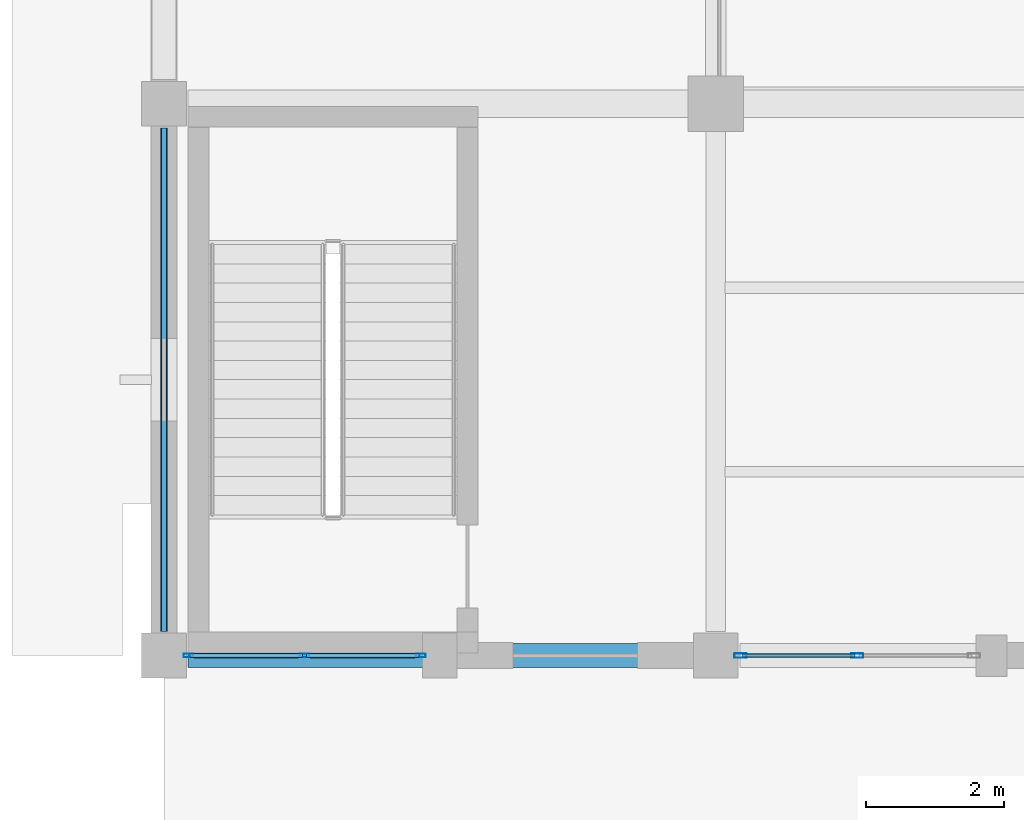
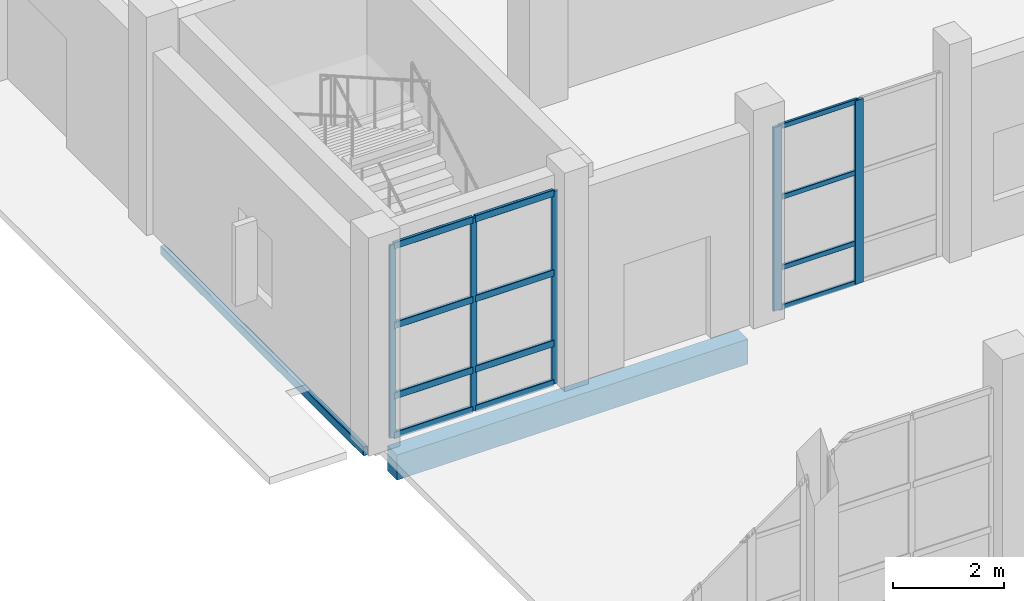
# One storey, part 27 of 156: 17 members, 2 beams, 2 elements without a shape of their own.
"""IFC4 building model written with IfcOpenShell, lengths in metres."""

from ifc_helpers import new_model, si_unit, direction, frame, origin, origin_2d, place, context, subcontext, project, spatial, rectangle, hollow_rectangle, extrude, material, material_profile, profile_set, type_object, element, aggregate, save


model = new_model("IFC4")

# Units and contexts
model_context = context("Model", 3, precision=1e-05, world=origin(), true_north=direction((0.0, 1.0)))
body_context = subcontext(model_context, "Body", "Model", "MODEL_VIEW")
ifc_project = project(units=[si_unit("LENGTHUNIT", "METRE"), si_unit("AREAUNIT", "SQUARE_METRE"), si_unit("VOLUMEUNIT", "CUBIC_METRE"), si_unit("PLANEANGLEUNIT", "RADIAN"), si_unit("MASSUNIT", "GRAM", prefix="KILO")], contexts=[model_context])

# Site, building, storey
site_placement = place(None, origin())
site = spatial("IfcSite", under=ifc_project, at=site_placement, CompositionType="ELEMENT")
building_placement = place(site_placement, origin())
building = spatial("IfcBuilding", under=site, at=building_placement, Name="Luwemba Playhouse", CompositionType="ELEMENT")
storey_placement = place(building_placement, origin())
storey = spatial("IfcBuildingStorey", under=building, at=storey_placement, Name="L00", CompositionType="ELEMENT", Elevation=0.0)

# Beams
ifc_material_1 = material(Name="Concrete C40/50", Category="concrete")
ifc_material_profile_1 = material_profile(ifc_material_1, rectangle(XDim=0.35009765625, YDim=0.550048828125, at=origin_2d()))
ifc_profile_set_1 = profile_set([ifc_material_profile_1], Name="Concrete C40/50")
beam_type_1 = type_object("IfcBeamType", Name="BM-SP2", PredefinedType="SPANDREL", material=ifc_profile_set_1)
beam_1_placement = place(storey_placement, frame((4.35009765625, 36.0, -0.574951171875), z_axis=(1.0, 0.0, 0.0), x_axis=(0.0, 1.0, 0.0)))
element("IfcBeam", 1, at=beam_1_placement, inside=storey, type_object=beam_type_1, Name="L00 grid girder 0001", PredefinedType="SPANDREL", context=body_context, shape_type="SweptSolid", body=[
    extrude(rectangle(XDim=0.35009765625, YDim=0.550048828125, at=origin_2d()), origin(), (0.0, 0.0, 1.0), 7.2998046875),
])
ifc_material_2 = material(Name="Steel S355", Category="steel")
ifc_material_profile_2 = material_profile(ifc_material_2, hollow_rectangle(XDim=0.10009765625, YDim=0.199951171875, WallThickness=0.008056640625, InnerFilletRadius=0.011962890625, OuterFilletRadius=0.02001953125, at=origin_2d()))
ifc_profile_set_2 = profile_set([ifc_material_profile_2], Name="Steel S355")
beam_type_2 = type_object("IfcBeamType", Name="BM-SSP2", PredefinedType="SPANDREL", material=ifc_profile_set_2)
beam_2_placement = place(storey_placement, frame((4.0, 36.35009765625, -0.39990234375), z_axis=(0.0, 1.0, 0.0), x_axis=(-1.0, 0.0, 0.0)))
element("IfcBeam", 2, at=beam_2_placement, inside=storey, type_object=beam_type_2, Name="L00 transverse girder 0019", PredefinedType="SPANDREL", context=body_context, shape_type="SweptSolid", body=[
    extrude(hollow_rectangle(XDim=0.10009765625, YDim=0.199951171875, WallThickness=0.008056640625, InnerFilletRadius=0.011962890625, OuterFilletRadius=0.02001953125, at=origin_2d()), origin(), (0.0, 0.0, 1.0), 7.2998046875),
])

# Curtain wall, members
ifc_material_3 = material(Name="Solar-control double glazing", Category="glass")
curtain_wall_type_1 = type_object("IfcCurtainWallType", Name="CW-CW12", PredefinedType="USERDEFINED", material=ifc_material_3)
curtain_wall_1_placement = place(storey_placement, origin())
curtain_wall_1 = element("IfcCurtainWall", 3, at=curtain_wall_1_placement, inside=storey, type_object=curtain_wall_type_1, Name="L00 V1 unitised curtain wall 012", ObjectType="UNITISED GLAZING", PredefinedType="USERDEFINED")
ifc_material_4 = material(Name="Aluminium 6063-T6", Category="aluminium")
ifc_material_profile_3 = material_profile(ifc_material_4, hollow_rectangle(XDim=0.06494140625, YDim=0.179931640625, WallThickness=0.00439453125, InnerFilletRadius=0.0068359375, OuterFilletRadius=0.01123046875, at=origin_2d()))
ifc_profile_set_3 = profile_set([ifc_material_profile_3], Name="Aluminium 6063-T6")
member_type_1 = type_object("IfcMemberType", Name="CWM-M2", PredefinedType="MULLION", material=ifc_profile_set_3)
member_1_placement = place(storey_placement, frame((14.050048828125, 36.0, 0.0), z_axis=(0.0, 0.0, 1.0), x_axis=(0.0, -1.0, 0.0)))
member_1 = element("IfcMember", 4, at=member_1_placement, type_object=member_type_1, Name="CW12 mullion 2", PredefinedType="MULLION", context=body_context, shape_type="SweptSolid", body=[
    extrude(hollow_rectangle(XDim=0.06494140625, YDim=0.179931640625, WallThickness=0.00439453125, InnerFilletRadius=0.0068359375, OuterFilletRadius=0.01123046875, at=origin_2d()), origin(), (0.0, 0.0, 1.0), 4.034912109375),
])
member_2_placement = place(storey_placement, frame((12.357421875, 36.0, 0.0), z_axis=(0.0, 0.0, 1.0), x_axis=(0.0, -1.0, 0.0)))
member_2 = element("IfcMember", 5, at=member_2_placement, type_object=member_type_1, Name="CW12 mullion 3", PredefinedType="MULLION", context=body_context, shape_type="SweptSolid", body=[
    extrude(hollow_rectangle(XDim=0.06494140625, YDim=0.179931640625, WallThickness=0.00439453125, InnerFilletRadius=0.0068359375, OuterFilletRadius=0.01123046875, at=origin_2d()), origin(), (0.0, 0.0, 1.0), 4.034912109375),
])

curtain_wall_type_2 = type_object("IfcCurtainWallType", Name="CW-CW13", PredefinedType="USERDEFINED", material=ifc_material_3)
curtain_wall_2_placement = place(storey_placement, origin())
curtain_wall_2 = element("IfcCurtainWall", 6, at=curtain_wall_2_placement, inside=storey, type_object=curtain_wall_type_2, Name="L00 V1 unitised curtain wall 013", ObjectType="UNITISED GLAZING", PredefinedType="USERDEFINED")
ifc_material_profile_4 = material_profile(ifc_material_4, hollow_rectangle(XDim=0.054931640625, YDim=0.139892578125, WallThickness=0.00390625, InnerFilletRadius=0.006103515625, OuterFilletRadius=0.010009765625, at=origin_2d()))
ifc_profile_set_4 = profile_set([ifc_material_profile_4], Name="Aluminium 6063-T6")
member_type_2 = type_object("IfcMemberType", Name="CWM-M3", PredefinedType="MULLION", material=ifc_profile_set_4)
member_3_placement = place(storey_placement, frame((7.722412109375, 36.0, 0.0), z_axis=(0.0, 0.0, 1.0), x_axis=(0.0, -1.0, 0.0)))
member_3 = element("IfcMember", 7, at=member_3_placement, type_object=member_type_2, Name="CW13 mullion 1", PredefinedType="MULLION", context=body_context, shape_type="SweptSolid", body=[
    extrude(hollow_rectangle(XDim=0.054931640625, YDim=0.139892578125, WallThickness=0.00390625, InnerFilletRadius=0.006103515625, OuterFilletRadius=0.010009765625, at=origin_2d()), origin(), (0.0, 0.0, 1.0), 4.235107421875),
])
member_4_placement = place(storey_placement, frame((6.03759765625, 36.0, 0.0), z_axis=(0.0, 0.0, 1.0), x_axis=(0.0, -1.0, 0.0)))
member_4 = element("IfcMember", 8, at=member_4_placement, type_object=member_type_2, Name="CW13 mullion 2", PredefinedType="MULLION", context=body_context, shape_type="SweptSolid", body=[
    extrude(hollow_rectangle(XDim=0.054931640625, YDim=0.139892578125, WallThickness=0.00390625, InnerFilletRadius=0.006103515625, OuterFilletRadius=0.010009765625, at=origin_2d()), origin(), (0.0, 0.0, 1.0), 4.235107421875),
])
member_5_placement = place(storey_placement, frame((4.3525390625, 36.0, 0.0), z_axis=(0.0, 0.0, 1.0), x_axis=(0.0, -1.0, 0.0)))
member_5 = element("IfcMember", 9, at=member_5_placement, type_object=member_type_2, Name="CW13 mullion 3", PredefinedType="MULLION", context=body_context, shape_type="SweptSolid", body=[
    extrude(hollow_rectangle(XDim=0.054931640625, YDim=0.139892578125, WallThickness=0.00390625, InnerFilletRadius=0.006103515625, OuterFilletRadius=0.010009765625, at=origin_2d()), origin(), (0.0, 0.0, 1.0), 4.235107421875),
])

# Member
ifc_material_profile_5 = material_profile(ifc_material_4, hollow_rectangle(XDim=0.054931640625, YDim=0.110107421875, WallThickness=0.00341796875, InnerFilletRadius=0.00537109375, OuterFilletRadius=0.0087890625, at=origin_2d()))
ifc_profile_set_5 = profile_set([ifc_material_profile_5], Name="Aluminium 6063-T6")
member_type_3 = type_object("IfcMemberType", Name="CWT-T2", PredefinedType="USERDEFINED", material=ifc_profile_set_5)
member_6_placement = place(storey_placement, frame((14.017578125, 36.0, 0.027587890625), z_axis=(-1.0, 0.0, 0.0), x_axis=(0.0, -1.0, 0.0)))
member_6 = element("IfcMember", 10, at=member_6_placement, type_object=member_type_3, Name="CW12 transom 2.1", ObjectType="TRANSOM", PredefinedType="USERDEFINED", context=body_context, shape_type="SweptSolid", body=[
    extrude(hollow_rectangle(XDim=0.054931640625, YDim=0.110107421875, WallThickness=0.00341796875, InnerFilletRadius=0.00537109375, OuterFilletRadius=0.0087890625, at=origin_2d()), origin(), (0.0, 0.0, 1.0), 1.627685546875),
])

member_7_placement = place(storey_placement, frame((14.017578125, 36.0, 0.89990234375), z_axis=(-1.0, 0.0, 0.0), x_axis=(0.0, -1.0, 0.0)))
member_7 = element("IfcMember", 11, at=member_7_placement, type_object=member_type_3, Name="CW12 transom 2.2", ObjectType="TRANSOM", PredefinedType="USERDEFINED", context=body_context, shape_type="SweptSolid", body=[
    extrude(hollow_rectangle(XDim=0.054931640625, YDim=0.110107421875, WallThickness=0.00341796875, InnerFilletRadius=0.00537109375, OuterFilletRadius=0.0087890625, at=origin_2d()), origin(), (0.0, 0.0, 1.0), 1.627685546875),
])

member_8_placement = place(storey_placement, frame((14.017578125, 36.0, 2.449951171875), z_axis=(-1.0, 0.0, 0.0), x_axis=(0.0, -1.0, 0.0)))
member_8 = element("IfcMember", 12, at=member_8_placement, type_object=member_type_3, Name="CW12 transom 2.3", ObjectType="TRANSOM", PredefinedType="USERDEFINED", context=body_context, shape_type="SweptSolid", body=[
    extrude(hollow_rectangle(XDim=0.054931640625, YDim=0.110107421875, WallThickness=0.00341796875, InnerFilletRadius=0.00537109375, OuterFilletRadius=0.0087890625, at=origin_2d()), origin(), (0.0, 0.0, 1.0), 1.627685546875),
])

member_9_placement = place(storey_placement, frame((14.017578125, 36.0, 4.007568359375), z_axis=(-1.0, 0.0, 0.0), x_axis=(0.0, -1.0, 0.0)))
member_9 = element("IfcMember", 13, at=member_9_placement, type_object=member_type_3, Name="CW12 transom 2.4", ObjectType="TRANSOM", PredefinedType="USERDEFINED", context=body_context, shape_type="SweptSolid", body=[
    extrude(hollow_rectangle(XDim=0.054931640625, YDim=0.110107421875, WallThickness=0.00341796875, InnerFilletRadius=0.00537109375, OuterFilletRadius=0.0087890625, at=origin_2d()), origin(), (0.0, 0.0, 1.0), 1.627685546875),
])

aggregate(curtain_wall_1, [member_1, member_2, member_6, member_7, member_8, member_9])

ifc_material_profile_6 = material_profile(ifc_material_4, hollow_rectangle(XDim=0.06494140625, YDim=0.14990234375, WallThickness=0.00390625, InnerFilletRadius=0.006103515625, OuterFilletRadius=0.010009765625, at=origin_2d()))
ifc_profile_set_6 = profile_set([ifc_material_profile_6], Name="Aluminium 6063-T6")
member_type_4 = type_object("IfcMemberType", Name="CWT-T3", PredefinedType="USERDEFINED", material=ifc_profile_set_6)
member_10_placement = place(storey_placement, frame((7.695068359375, 36.0, 0.032470703125), z_axis=(-1.0, 0.0, 0.0), x_axis=(0.0, -1.0, 0.0)))
member_10 = element("IfcMember", 14, at=member_10_placement, type_object=member_type_4, Name="CW13 transom 1.1", ObjectType="TRANSOM", PredefinedType="USERDEFINED", context=body_context, shape_type="SweptSolid", body=[
    extrude(hollow_rectangle(XDim=0.06494140625, YDim=0.14990234375, WallThickness=0.00390625, InnerFilletRadius=0.006103515625, OuterFilletRadius=0.010009765625, at=origin_2d()), origin(), (0.0, 0.0, 1.0), 1.630126953125),
])

member_11_placement = place(storey_placement, frame((7.695068359375, 36.0, 0.89990234375), z_axis=(-1.0, 0.0, 0.0), x_axis=(0.0, -1.0, 0.0)))
member_11 = element("IfcMember", 15, at=member_11_placement, type_object=member_type_4, Name="CW13 transom 1.2", ObjectType="TRANSOM", PredefinedType="USERDEFINED", context=body_context, shape_type="SweptSolid", body=[
    extrude(hollow_rectangle(XDim=0.06494140625, YDim=0.14990234375, WallThickness=0.00390625, InnerFilletRadius=0.006103515625, OuterFilletRadius=0.010009765625, at=origin_2d()), origin(), (0.0, 0.0, 1.0), 1.630126953125),
])

member_12_placement = place(storey_placement, frame((7.695068359375, 36.0, 2.449951171875), z_axis=(-1.0, 0.0, 0.0), x_axis=(0.0, -1.0, 0.0)))
member_12 = element("IfcMember", 16, at=member_12_placement, type_object=member_type_4, Name="CW13 transom 1.3", ObjectType="TRANSOM", PredefinedType="USERDEFINED", context=body_context, shape_type="SweptSolid", body=[
    extrude(hollow_rectangle(XDim=0.06494140625, YDim=0.14990234375, WallThickness=0.00390625, InnerFilletRadius=0.006103515625, OuterFilletRadius=0.010009765625, at=origin_2d()), origin(), (0.0, 0.0, 1.0), 1.630126953125),
])

member_13_placement = place(storey_placement, frame((7.695068359375, 36.0, 4.202392578125), z_axis=(-1.0, 0.0, 0.0), x_axis=(0.0, -1.0, 0.0)))
member_13 = element("IfcMember", 17, at=member_13_placement, type_object=member_type_4, Name="CW13 transom 1.4", ObjectType="TRANSOM", PredefinedType="USERDEFINED", context=body_context, shape_type="SweptSolid", body=[
    extrude(hollow_rectangle(XDim=0.06494140625, YDim=0.14990234375, WallThickness=0.00390625, InnerFilletRadius=0.006103515625, OuterFilletRadius=0.010009765625, at=origin_2d()), origin(), (0.0, 0.0, 1.0), 1.630126953125),
])

member_14_placement = place(storey_placement, frame((6.010009765625, 36.0, 0.032470703125), z_axis=(-1.0, 0.0, 0.0), x_axis=(0.0, -1.0, 0.0)))
member_14 = element("IfcMember", 18, at=member_14_placement, type_object=member_type_4, Name="CW13 transom 2.1", ObjectType="TRANSOM", PredefinedType="USERDEFINED", context=body_context, shape_type="SweptSolid", body=[
    extrude(hollow_rectangle(XDim=0.06494140625, YDim=0.14990234375, WallThickness=0.00390625, InnerFilletRadius=0.006103515625, OuterFilletRadius=0.010009765625, at=origin_2d()), origin(), (0.0, 0.0, 1.0), 1.630126953125),
])

member_15_placement = place(storey_placement, frame((6.010009765625, 36.0, 0.89990234375), z_axis=(-1.0, 0.0, 0.0), x_axis=(0.0, -1.0, 0.0)))
member_15 = element("IfcMember", 19, at=member_15_placement, type_object=member_type_4, Name="CW13 transom 2.2", ObjectType="TRANSOM", PredefinedType="USERDEFINED", context=body_context, shape_type="SweptSolid", body=[
    extrude(hollow_rectangle(XDim=0.06494140625, YDim=0.14990234375, WallThickness=0.00390625, InnerFilletRadius=0.006103515625, OuterFilletRadius=0.010009765625, at=origin_2d()), origin(), (0.0, 0.0, 1.0), 1.630126953125),
])

member_16_placement = place(storey_placement, frame((6.010009765625, 36.0, 2.449951171875), z_axis=(-1.0, 0.0, 0.0), x_axis=(0.0, -1.0, 0.0)))
member_16 = element("IfcMember", 20, at=member_16_placement, type_object=member_type_4, Name="CW13 transom 2.3", ObjectType="TRANSOM", PredefinedType="USERDEFINED", context=body_context, shape_type="SweptSolid", body=[
    extrude(hollow_rectangle(XDim=0.06494140625, YDim=0.14990234375, WallThickness=0.00390625, InnerFilletRadius=0.006103515625, OuterFilletRadius=0.010009765625, at=origin_2d()), origin(), (0.0, 0.0, 1.0), 1.630126953125),
])

member_17_placement = place(storey_placement, frame((6.010009765625, 36.0, 4.202392578125), z_axis=(-1.0, 0.0, 0.0), x_axis=(0.0, -1.0, 0.0)))
member_17 = element("IfcMember", 21, at=member_17_placement, type_object=member_type_4, Name="CW13 transom 2.4", ObjectType="TRANSOM", PredefinedType="USERDEFINED", context=body_context, shape_type="SweptSolid", body=[
    extrude(hollow_rectangle(XDim=0.06494140625, YDim=0.14990234375, WallThickness=0.00390625, InnerFilletRadius=0.006103515625, OuterFilletRadius=0.010009765625, at=origin_2d()), origin(), (0.0, 0.0, 1.0), 1.630126953125),
])

aggregate(curtain_wall_2, [member_3, member_4, member_5, member_10, member_11, member_12, member_13, member_14, member_15, member_16, member_17])

save(model, "model.ifc")
